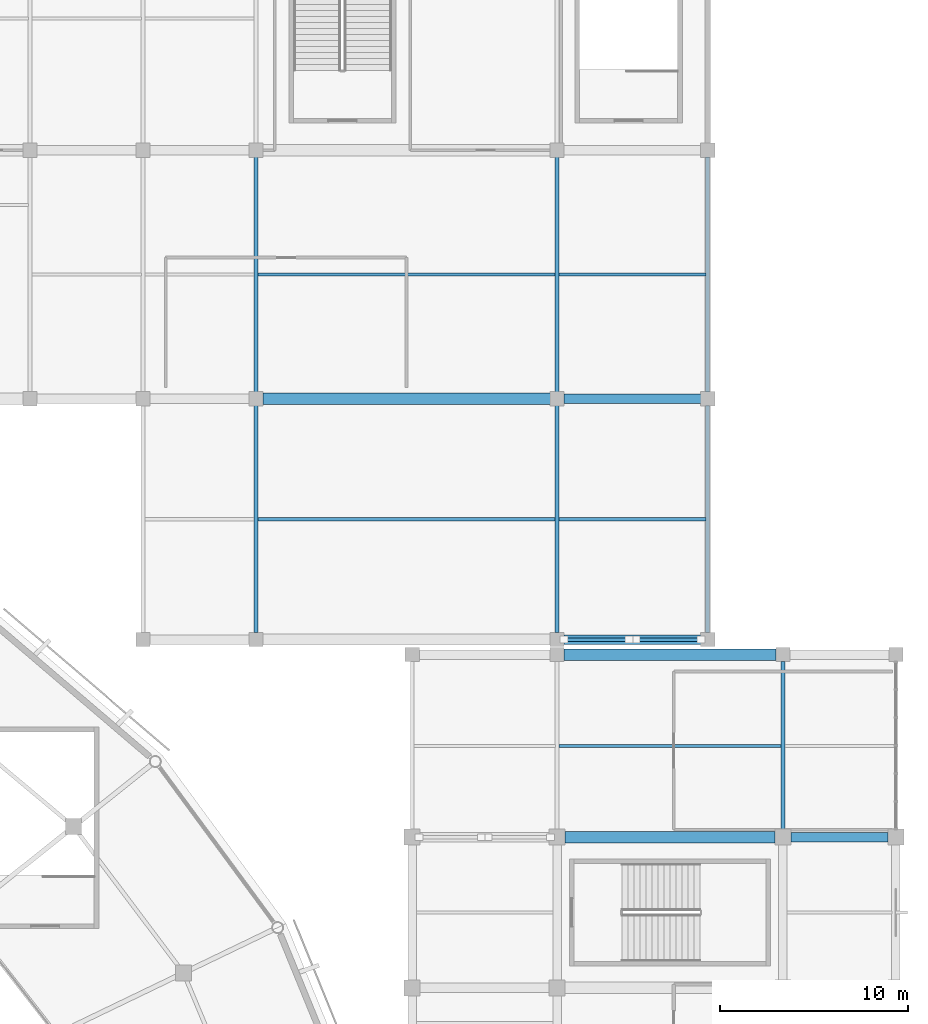
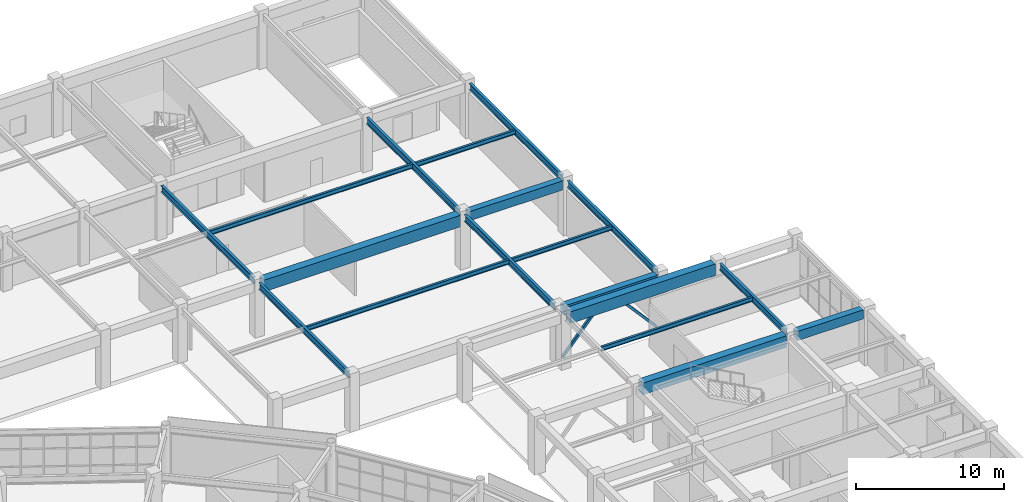
# One storey, part 60 of 112: 18 beams, 2 members.
"""IFC4 building model written with IfcOpenShell, lengths in metres."""

import ifcopenshell
import ifcopenshell.guid

model = None  # the IFC model being written
_history = None  # IfcOwnerHistory: only IFC2X3 demands one
_inside = {}  # id of a spatial element -> (the spatial element, [elements in it])
_under = {}  # id of a project, library or spatial element -> (it, [spatial elements below it])
_declared = {}  # id of a project -> (the project, [libraries it declares])
_typed = {}  # id of a type object -> (the type object, [elements of that type])
_made_of = {}  # id of a material, layer set ... -> (it, [elements and type objects made of it])


def new_model(schema):
    """Start an empty IFC model of exactly this schema.

    Asked for "IFC4X3", IfcOpenShell would pick the latest addendum, in which some entities
    have other attributes; the version numbers below select the first issue.
    IFC2X3 requires an IfcOwnerHistory on every rooted entity: one is made here for all.
    """
    global model, _history
    if schema == "IFC4X3":
        model = ifcopenshell.file(schema_version=(4, 3, 0, 0))
    else:
        model = ifcopenshell.file(schema=schema)
    _inside.clear()
    _under.clear()
    _declared.clear()
    _typed.clear()
    _made_of.clear()
    _history = None
    if model.schema == "IFC2X3":
        org = make("IfcOrganization", Name="unknown")
        user = make(
            "IfcPersonAndOrganization",
            ThePerson=make("IfcPerson", FamilyName="unknown"),
            TheOrganization=org,
        )
        app = make(
            "IfcApplication",
            ApplicationDeveloper=org,
            Version="unknown",
            ApplicationFullName="unknown",
            ApplicationIdentifier="unknown",
        )
        _history = make(
            "IfcOwnerHistory",
            OwningUser=user,
            OwningApplication=app,
            ChangeAction="ADDED",
            CreationDate=0,
        )
    return model


def make(cls, **values):
    """One entity of the class cls with the attributes given. An attribute that is None is left unset."""
    return model.create_entity(
        cls, **{name: value for name, value in values.items() if value is not None}
    )


def rooted(cls, **values):
    """An entity with a GlobalId (a new one), such as an element, a storey or a relation."""
    return make(cls, GlobalId=ifcopenshell.guid.new(), OwnerHistory=_history, **values)


def si_unit(unit_type, name, prefix=None):
    """IfcSIUnit, for example si_unit("LENGTHUNIT", "METRE", prefix="MILLI")."""
    return make("IfcSIUnit", UnitType=unit_type, Prefix=prefix, Name=name)


def assignment(units):
    """IfcUnitAssignment: the units of a project."""
    return None if units is None else make("IfcUnitAssignment", Units=units)


def point(xyz):
    """IfcCartesianPoint."""
    return None if xyz is None else make("IfcCartesianPoint", Coordinates=xyz)


def direction(xyz):
    """IfcDirection."""
    return None if xyz is None else make("IfcDirection", DirectionRatios=xyz)


def frame(location, z_axis=None, x_axis=None):
    """IfcAxis2Placement3D, a coordinate frame: its origin and axes. An axis left out is left unset."""
    return make(
        "IfcAxis2Placement3D",
        Location=point(location),
        Axis=direction(z_axis),
        RefDirection=direction(x_axis),
    )


def frame_2d(location, x_axis=None):
    """IfcAxis2Placement2D, a coordinate frame in the plane: its origin and x axis."""
    return make(
        "IfcAxis2Placement2D", Location=point(location), RefDirection=direction(x_axis)
    )


def origin():
    """The frame at (0, 0, 0) with its axes left unset."""
    return frame((0.0, 0.0, 0.0))


def origin_2d():
    """The frame at (0, 0) in the plane with its x axis left unset."""
    return frame_2d((0.0, 0.0))


def place(relative_to, where):
    """IfcLocalPlacement: puts the frame where relative to a parent placement (None: the world)."""
    return make(
        "IfcLocalPlacement", PlacementRelTo=relative_to, RelativePlacement=where
    )


def context(
    kind, dimensions, precision=None, world=None, true_north=None, identifier=None
):
    """IfcGeometricRepresentationContext, for example the 3D "Model" context."""
    return make(
        "IfcGeometricRepresentationContext",
        ContextIdentifier=identifier,
        ContextType=kind,
        CoordinateSpaceDimension=dimensions,
        Precision=precision,
        WorldCoordinateSystem=world,
        TrueNorth=true_north,
    )


def subcontext(parent, identifier, kind, view, scale=None):
    """IfcGeometricRepresentationSubContext, for example "Body" below "Model"."""
    return make(
        "IfcGeometricRepresentationSubContext",
        ContextIdentifier=identifier,
        ContextType=kind,
        ParentContext=parent,
        TargetScale=scale,
        TargetView=view,
    )


def project(units=None, contexts=None):
    """IfcProject with its units and contexts."""
    return rooted(
        "IfcProject",
        Name="project",
        RepresentationContexts=contexts,
        UnitsInContext=assignment(units),
    )


def spatial(cls, under=None, at=None, **own):
    """A site, building, storey or space (cls), placed at a placement, below another one or the project."""
    s = rooted(cls, ObjectPlacement=at, **own)
    if under is not None:
        _under.setdefault(under.id(), (under, []))[1].append(s)
    return s


def profile(cls, at=None, kind="AREA", **sizes):
    """A parametric profile (cls). Its sizes go by their IFC names, for example OverallWidth=200.0."""
    return make(cls, ProfileType=kind, Position=at, **sizes)


def rectangle(**sizes):
    """IfcRectangleProfileDef."""
    return profile("IfcRectangleProfileDef", **sizes)


def hollow_rectangle(**sizes):
    """IfcRectangleHollowProfileDef."""
    return profile("IfcRectangleHollowProfileDef", **sizes)


def i_section(**sizes):
    """IfcIShapeProfileDef."""
    return profile("IfcIShapeProfileDef", **sizes)


def extrude(swept, where, along, depth):
    """IfcExtrudedAreaSolid: the profile swept, set in the frame where, extruded along a direction by depth."""
    return make(
        "IfcExtrudedAreaSolid",
        SweptArea=swept,
        Position=where,
        ExtrudedDirection=direction(along),
        Depth=depth,
    )


def shape(context_of_items, identifier, shape_type, items):
    """IfcShapeRepresentation: the items that make up one representation, for example the "Body"."""
    return make(
        "IfcShapeRepresentation",
        ContextOfItems=context_of_items,
        RepresentationIdentifier=identifier,
        RepresentationType=shape_type,
        Items=items,
    )


def material(Name=None, Category=None):
    """IfcMaterial."""
    return make("IfcMaterial", Name=Name, Category=Category)


def material_profile(
    of_material, cross_section, Name=None, Category=None, Priority=None
):
    """IfcMaterialProfile: a cross section and its material."""
    return make(
        "IfcMaterialProfile",
        Name=Name,
        Material=of_material,
        Profile=cross_section,
        Priority=Priority,
        Category=Category,
    )


def profile_set(profiles, Name=None, composite=None):
    """IfcMaterialProfileSet."""
    return make(
        "IfcMaterialProfileSet",
        Name=Name,
        MaterialProfiles=profiles,
        CompositeProfile=composite,
    )


def made_of(thing, what):
    """Note that an element or type object is made of a material, layer set ...; save() writes the relation."""
    if what is not None:
        _made_of.setdefault(what.id(), (what, []))[1].append(thing)
    return thing


def type_object(cls, material=None, **own):
    """A type object (cls), such as IfcWallType, which elements share."""
    return made_of(rooted(cls, **own), material)


def element(
    cls,
    number,
    at=None,
    inside=None,
    cuts=None,
    type_object=None,
    material=None,
    context=None,
    identifier="Body",
    shape_type=None,
    held_by="IfcProductDefinitionShape",
    body=None,
    shapes=None,
    **own,
):
    """One element of the class cls, such as IfcWall. Its Tag is "e" and its number.

    at: its placement. inside: the storey or other place that contains it. cuts: it is an
    opening in that element (IfcRelVoidsElement). A single representation is given by context,
    identifier, shape_type and body (its items); several are given by shapes. held_by: the class
    of the entity that holds the representations. save() writes the other relations.
    """
    e = rooted(cls, Tag="e%d" % number, ObjectPlacement=at, **own)
    if body is not None:
        shapes = [shape(context, identifier, shape_type, body)]
    if shapes is not None:
        e.Representation = make(held_by, Representations=shapes)
    if inside is not None:
        _inside.setdefault(inside.id(), (inside, []))[1].append(e)
    if cuts is not None:
        rooted(
            "IfcRelVoidsElement", RelatingBuildingElement=cuts, RelatedOpeningElement=e
        )
    if type_object is not None:
        _typed.setdefault(type_object.id(), (type_object, []))[1].append(e)
    return made_of(e, material)


def aggregate(whole, parts):
    """IfcRelAggregates: a whole, such as a stair, and the parts it consists of."""
    return rooted("IfcRelAggregates", RelatingObject=whole, RelatedObjects=parts)


def save(model, path):
    """Write the relations noted so far, then the file.

    IfcRelAggregates (storeys below a building ...), IfcRelContainedInSpatialStructure (elements
    in a storey), IfcRelDefinesByType, IfcRelAssociatesMaterial and IfcRelDeclares: one each for
    every whole, place, type object, material and project.
    """
    for whole, parts in _under.values():
        aggregate(whole, parts)
    for where, things in _inside.values():
        rooted(
            "IfcRelContainedInSpatialStructure",
            RelatedElements=things,
            RelatingStructure=where,
        )
    for kind, things in _typed.values():
        rooted("IfcRelDefinesByType", RelatedObjects=things, RelatingType=kind)
    for what, things in _made_of.values():
        rooted("IfcRelAssociatesMaterial", RelatedObjects=things, RelatingMaterial=what)
    for by, libraries in _declared.values():
        rooted("IfcRelDeclares", RelatingContext=by, RelatedDefinitions=libraries)
    model.write(path)


model = new_model("IFC4")

# Units and contexts
model_context = context("Model", 3, precision=1e-05, world=origin(), true_north=direction((0.0, 1.0)))
body_context = subcontext(model_context, "Body", "Model", "MODEL_VIEW")
ifc_project = project(units=[si_unit("LENGTHUNIT", "METRE"), si_unit("AREAUNIT", "SQUARE_METRE"), si_unit("VOLUMEUNIT", "CUBIC_METRE"), si_unit("PLANEANGLEUNIT", "RADIAN"), si_unit("MASSUNIT", "GRAM", prefix="KILO")], contexts=[model_context])

# Site, building, storey
site_placement = place(None, origin())
site = spatial("IfcSite", under=ifc_project, at=site_placement, CompositionType="ELEMENT")
building_placement = place(site_placement, origin())
building = spatial("IfcBuilding", under=site, at=building_placement, Name="Cuetzalor Civic Arena", CompositionType="ELEMENT")
storey_placement = place(building_placement, frame((0.0, 0.0, 11.39990234375)))
storey = spatial("IfcBuildingStorey", under=building, at=storey_placement, Name="L02", CompositionType="ELEMENT", Elevation=11.39990234375)

# Beams
ifc_material_1 = material(Name="Concrete C40/50", Category="concrete")
ifc_material_profile_1 = material_profile(ifc_material_1, rectangle(XDim=0.5, YDim=0.75, at=origin_2d()), Name="RC 500x750")
ifc_profile_set_1 = profile_set([ifc_material_profile_1], Name="Concrete C40/50")
beam_type_1 = type_object("IfcBeamType", Name="ConcreteFrameBeam_500x750", PredefinedType="BEAM", material=ifc_profile_set_1)
beam_1_placement = place(storey_placement, frame((76.4150390625, 25.0, 4.14501953125), z_axis=(1.0, 0.0, 0.0), x_axis=(0.0, 1.0, 0.0)))
element("IfcBeam", 1, at=beam_1_placement, inside=storey, type_object=beam_type_1, Name="Frame Girder V4E-L02-X0732", PredefinedType="BEAM", context=body_context, shape_type="SweptSolid", body=[
    extrude(rectangle(XDim=0.5, YDim=0.75, at=origin_2d()), origin(), (0.0, 0.0, 1.0), 5.169921875),
])
for number, where, z_axis, x_axis, name in (
    (2, (64.364990234375, 35.5, 4.10498046875), (1.0, 0.0, 0.0), (0.0, 1.0, 0.0), "Frame Girder V5-L02-X0783"),
    (3, (64.364990234375, 48.300048828125, 4.10498046875), (1.0, 0.0, 0.0), (0.0, 1.0, 0.0), "Frame Girder V5-L02-X0797"),
):
    element("IfcBeam", number, at=place(storey_placement, frame(where, z_axis=z_axis, x_axis=x_axis)), inside=storey, type_object=beam_type_1, Name=name, PredefinedType="BEAM", context=body_context, shape_type="SweptSolid", body=[
        extrude(rectangle(XDim=0.5, YDim=0.75, at=origin_2d()), origin(), (0.0, 0.0, 1.0), 7.27001953125),
    ])
ifc_material_2 = material(Name="Concrete C40/50", Category="concrete")
ifc_material_profile_2 = material_profile(ifc_material_2, rectangle(XDim=0.60009765625, YDim=0.949951171875, at=origin_2d()), Name="RC 600x950")
ifc_profile_set_2 = profile_set([ifc_material_profile_2], Name="Concrete C40/50")
beam_type_2 = type_object("IfcBeamType", Name="ConcreteFrameBeam_600x950", PredefinedType="BEAM", material=ifc_profile_set_2)
beam_2_placement = place(storey_placement, frame((64.4150390625, 25.0, 4.045166015625), z_axis=(1.0, 0.0, 0.0), x_axis=(0.0, 1.0, 0.0)))
element("IfcBeam", 4, at=beam_2_placement, inside=storey, type_object=beam_type_2, Name="Frame Girder V4E-L02-X0731", PredefinedType="BEAM", context=body_context, shape_type="SweptSolid", body=[
    extrude(rectangle(XDim=0.60009765625, YDim=0.949951171875, at=origin_2d()), origin(), (0.0, 0.0, 1.0), 11.169921875),
])
beam_3_placement = place(storey_placement, frame((64.364990234375, 34.699951171875, 4.045166015625), z_axis=(1.0, 0.0, 0.0), x_axis=(0.0, 1.0, 0.0)))
element("IfcBeam", 5, at=beam_3_placement, inside=storey, type_object=beam_type_2, Name="Frame Girder V4E-L02-X0734", PredefinedType="BEAM", context=body_context, shape_type="SweptSolid", body=[
    extrude(rectangle(XDim=0.60009765625, YDim=0.949951171875, at=origin_2d()), origin(), (0.0, 0.0, 1.0), 11.27001953125),
])
beam_4_placement = place(storey_placement, frame((48.364990234375, 48.300048828125, 4.005126953125), z_axis=(1.0, 0.0, 0.0), x_axis=(0.0, 1.0, 0.0)))
element("IfcBeam", 6, at=beam_4_placement, inside=storey, type_object=beam_type_2, Name="Frame Girder V5-L02-X0796", PredefinedType="BEAM", context=body_context, shape_type="SweptSolid", body=[
    extrude(rectangle(XDim=0.60009765625, YDim=0.949951171875, at=origin_2d()), origin(), (0.0, 0.0, 1.0), 15.27001953125),
])

# Members
ifc_material_3 = material(Name="Steel S355", Category="steel")
ifc_material_profile_3 = material_profile(ifc_material_3, hollow_rectangle(XDim=0.179931640625, YDim=0.179931640625, WallThickness=0.010009765625, at=origin_2d()), Name="RHS 180x180x10")
ifc_profile_set_3 = profile_set([ifc_material_profile_3], Name="Steel S355")
member_type = type_object("IfcMemberType", Name="LateralFrameBrace_RHS180", PredefinedType="BRACE", material=ifc_profile_set_3)
for number, where, z_axis, x_axis, name in (
    (7, (64.360107421875, 35.5, 0.150146484375), (0.660802361604, 0.0, 0.750559950236), (0.0, 1.0, 0.0), "Lateral Chevron Brace V5-L02-011"),
    (8, (71.639892578125, 35.5, 0.150146484375), (-0.660802361604, 0.0, 0.750559950236), (0.0, -1.0, 0.0), "Lateral Chevron Brace V5-L02-012"),
):
    element("IfcMember", number, at=place(storey_placement, frame(where, z_axis=z_axis, x_axis=x_axis)), inside=storey, type_object=member_type, Name=name, PredefinedType="BRACE", context=body_context, shape_type="SweptSolid", body=[
        extrude(hollow_rectangle(XDim=0.179931640625, YDim=0.179931640625, WallThickness=0.010009765625, at=origin_2d()), origin(), (0.0, 0.0, 1.0), 5.236083984375),
    ])

# Beams
ifc_material_4 = material(Name="Steel S355", Category="steel")
ifc_material_profile_4 = material_profile(ifc_material_4, i_section(OverallWidth=0.1708984375, OverallDepth=0.35498046875, WebThickness=0.007080078125, FlangeThickness=0.01171875, at=origin_2d()), Name="W360x51")
ifc_profile_set_4 = profile_set([ifc_material_profile_4], Name="Steel S355")
beam_type_3 = type_object("IfcBeamType", Name="SecondaryFloorJoist_W360", PredefinedType="JOIST", material=ifc_profile_set_4)
beam_5_placement = place(storey_placement, frame((64.096435546875, 29.85009765625, 4.342529296875), z_axis=(1.0, 0.0, 0.0), x_axis=(0.0, 1.0, 0.0)))
element("IfcBeam", 9, at=beam_5_placement, inside=storey, type_object=beam_type_3, Name="Secondary Floor Joist V4E-L02-0234", PredefinedType="JOIST", context=body_context, shape_type="SweptSolid", body=[
    extrude(i_section(OverallWidth=0.1708984375, OverallDepth=0.35498046875, WebThickness=0.007080078125, FlangeThickness=0.01171875, at=origin_2d()), origin(), (0.0, 0.0, 1.0), 11.80712890625),
])
for number, where, z_axis, x_axis, name in (
    (10, (48.096435546875, 41.89990234375, 4.302490234375), (1.0, 0.0, 0.0), (0.0, 1.0, 0.0), "Secondary Floor Joist V5-L02-0261"),
    (11, (48.096435546875, 54.89990234375, 4.302490234375), (1.0, 0.0, 0.0), (0.0, 1.0, 0.0), "Secondary Floor Joist V5-L02-0262"),
):
    element("IfcBeam", number, at=place(storey_placement, frame(where, z_axis=z_axis, x_axis=x_axis)), inside=storey, type_object=beam_type_3, Name=name, PredefinedType="JOIST", context=body_context, shape_type="SweptSolid", body=[
        extrude(i_section(OverallWidth=0.1708984375, OverallDepth=0.35498046875, WebThickness=0.007080078125, FlangeThickness=0.01171875, at=origin_2d()), origin(), (0.0, 0.0, 1.0), 15.80712890625),
    ])
for number, where, z_axis, x_axis, name in (
    (12, (64.096435546875, 41.89990234375, 4.302490234375), (1.0, 0.0, 0.0), (0.0, 1.0, 0.0), "Secondary Floor Joist V5-L02-0263"),
    (13, (64.096435546875, 54.89990234375, 4.302490234375), (1.0, 0.0, 0.0), (0.0, 1.0, 0.0), "Secondary Floor Joist V5-L02-0264"),
):
    element("IfcBeam", number, at=place(storey_placement, frame(where, z_axis=z_axis, x_axis=x_axis)), inside=storey, type_object=beam_type_3, Name=name, PredefinedType="JOIST", context=body_context, shape_type="SweptSolid", body=[
        extrude(i_section(OverallWidth=0.1708984375, OverallDepth=0.35498046875, WebThickness=0.007080078125, FlangeThickness=0.01171875, at=origin_2d()), origin(), (0.0, 0.0, 1.0), 7.80712890625),
    ])
ifc_material_5 = material(Name="Steel S355", Category="steel")
ifc_material_profile_5 = material_profile(ifc_material_5, i_section(OverallWidth=0.208984375, OverallDepth=0.532958984375, WebThickness=0.01025390625, FlangeThickness=0.015625, at=origin_2d()), Name="W530x92")
ifc_profile_set_5 = profile_set([ifc_material_profile_5], Name="Steel S355")
beam_type_4 = type_object("IfcBeamType", Name="SteelCollarGirder_W530", PredefinedType="BEAM", material=ifc_profile_set_5)
beam_6_placement = place(storey_placement, frame((76.0, 25.4150390625, 4.253662109375), z_axis=(0.0, 1.0, 0.0), x_axis=(-1.0, 0.0, 0.0)))
element("IfcBeam", 14, at=beam_6_placement, inside=storey, type_object=beam_type_4, Name="Frame Girder V4E-L02-Y0767", PredefinedType="BEAM", context=body_context, shape_type="SweptSolid", body=[
    extrude(i_section(OverallWidth=0.208984375, OverallDepth=0.532958984375, WebThickness=0.01025390625, FlangeThickness=0.015625, at=origin_2d()), origin(), (0.0, 0.0, 1.0), 8.919921875),
])
beam_7_placement = place(storey_placement, frame((48.0, 35.864990234375, 4.213623046875), z_axis=(0.0, 1.0, 0.0), x_axis=(-1.0, 0.0, 0.0)))
element("IfcBeam", 15, at=beam_7_placement, inside=storey, type_object=beam_type_4, Name="Frame Girder V5-L02-Y0845", PredefinedType="BEAM", context=body_context, shape_type="SweptSolid", body=[
    extrude(i_section(OverallWidth=0.208984375, OverallDepth=0.532958984375, WebThickness=0.01025390625, FlangeThickness=0.015625, at=origin_2d()), origin(), (0.0, 0.0, 1.0), 12.070068359375),
])
beam_8_placement = place(storey_placement, frame((48.0, 48.6650390625, 4.213623046875), z_axis=(0.0, 1.0, 0.0), x_axis=(-1.0, 0.0, 0.0)))
element("IfcBeam", 16, at=beam_8_placement, inside=storey, type_object=beam_type_4, Name="Frame Girder V5-L02-Y0846", PredefinedType="BEAM", context=body_context, shape_type="SweptSolid", body=[
    extrude(i_section(OverallWidth=0.208984375, OverallDepth=0.532958984375, WebThickness=0.01025390625, FlangeThickness=0.015625, at=origin_2d()), origin(), (0.0, 0.0, 1.0), 12.469970703125),
])
beam_9_placement = place(storey_placement, frame((64.0, 35.864990234375, 4.213623046875), z_axis=(0.0, 1.0, 0.0), x_axis=(-1.0, 0.0, 0.0)))
element("IfcBeam", 17, at=beam_9_placement, inside=storey, type_object=beam_type_4, Name="Frame Girder V5-L02-Y0848", PredefinedType="BEAM", context=body_context, shape_type="SweptSolid", body=[
    extrude(i_section(OverallWidth=0.208984375, OverallDepth=0.532958984375, WebThickness=0.01025390625, FlangeThickness=0.015625, at=origin_2d()), origin(), (0.0, 0.0, 1.0), 12.070068359375),
])
beam_10_placement = place(storey_placement, frame((64.0, 48.6650390625, 4.213623046875), z_axis=(0.0, 1.0, 0.0), x_axis=(-1.0, 0.0, 0.0)))
element("IfcBeam", 18, at=beam_10_placement, inside=storey, type_object=beam_type_4, Name="Frame Girder V5-L02-Y0849", PredefinedType="BEAM", context=body_context, shape_type="SweptSolid", body=[
    extrude(i_section(OverallWidth=0.208984375, OverallDepth=0.532958984375, WebThickness=0.01025390625, FlangeThickness=0.015625, at=origin_2d()), origin(), (0.0, 0.0, 1.0), 12.469970703125),
])
beam_11_placement = place(storey_placement, frame((72.0, 35.864990234375, 4.213623046875), z_axis=(0.0, 1.0, 0.0), x_axis=(-1.0, 0.0, 0.0)))
element("IfcBeam", 19, at=beam_11_placement, inside=storey, type_object=beam_type_4, Name="Frame Girder V5-L02-Y0851", PredefinedType="BEAM", context=body_context, shape_type="SweptSolid", body=[
    extrude(i_section(OverallWidth=0.208984375, OverallDepth=0.532958984375, WebThickness=0.01025390625, FlangeThickness=0.015625, at=origin_2d()), origin(), (0.0, 0.0, 1.0), 12.070068359375),
])
beam_12_placement = place(storey_placement, frame((72.0, 48.6650390625, 4.213623046875), z_axis=(0.0, 1.0, 0.0), x_axis=(-1.0, 0.0, 0.0)))
element("IfcBeam", 20, at=beam_12_placement, inside=storey, type_object=beam_type_4, Name="Frame Girder V5-L02-Y0852", PredefinedType="BEAM", context=body_context, shape_type="SweptSolid", body=[
    extrude(i_section(OverallWidth=0.208984375, OverallDepth=0.532958984375, WebThickness=0.01025390625, FlangeThickness=0.015625, at=origin_2d()), origin(), (0.0, 0.0, 1.0), 12.469970703125),
])

save(model, "model.ifc")
